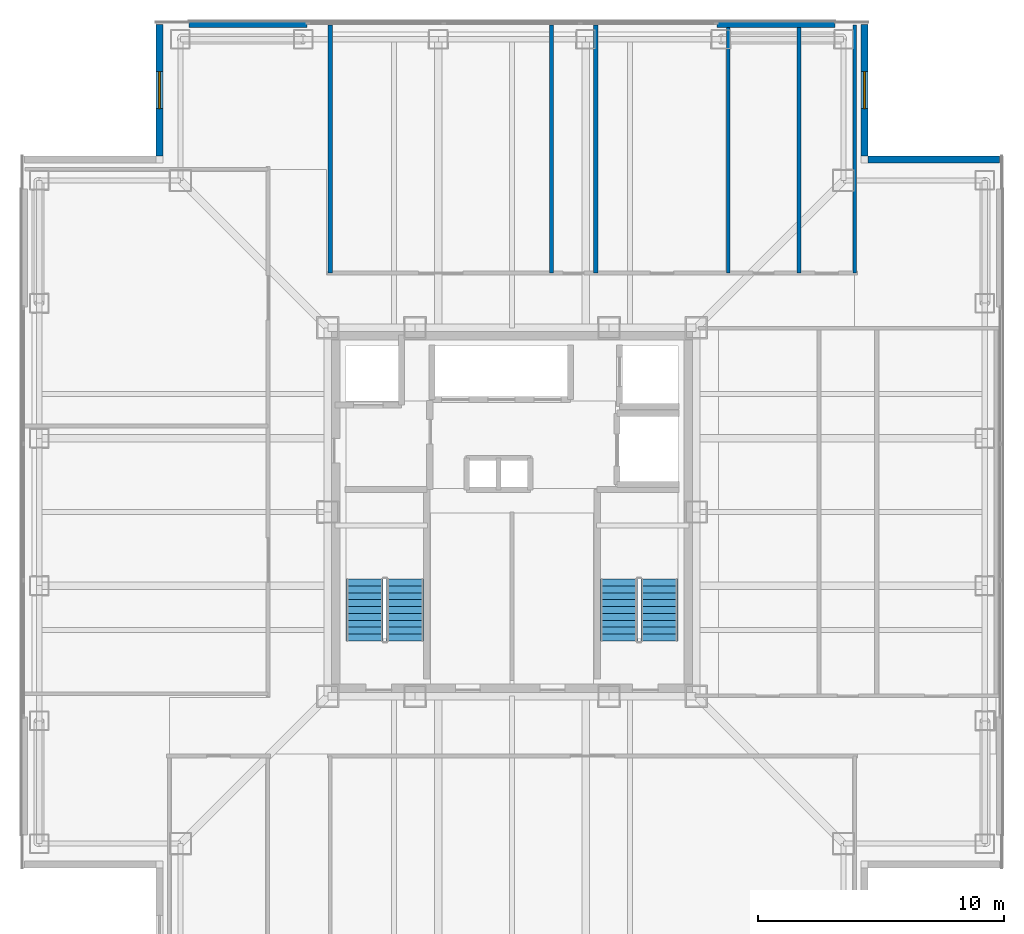
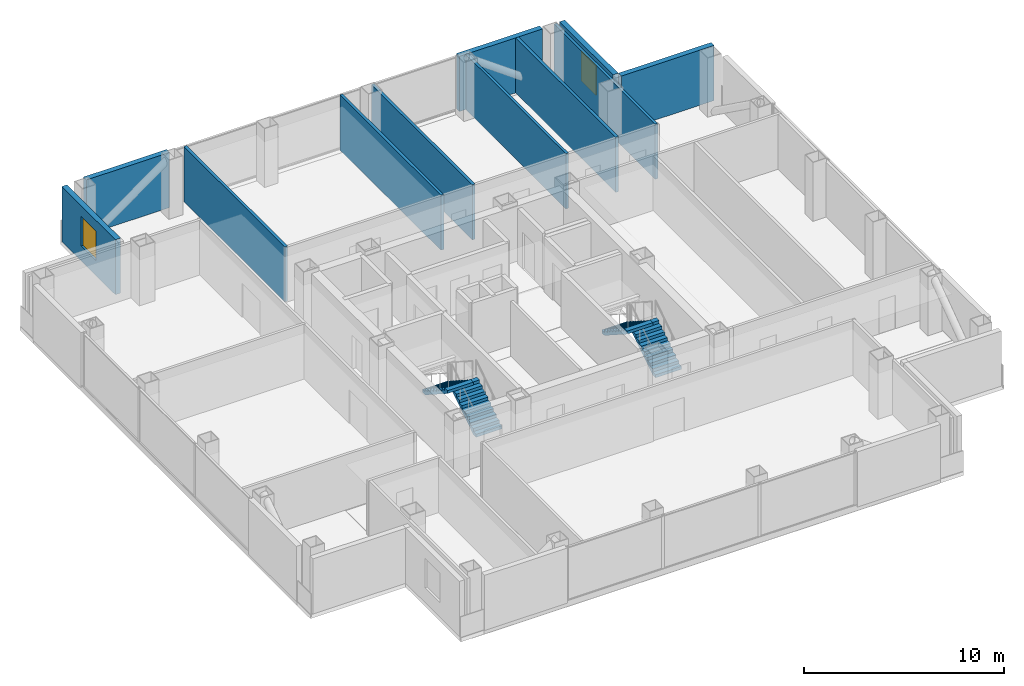
# One storey, part 10 of 16: 11 walls, 4 stair flights, 2 windows, 2 openings, 2 elements without a shape of their own.
"""IFC4 building model written with IfcOpenShell, lengths in metres."""

from ifc_helpers import new_model, si_unit, direction, frame, frame_2d, origin, place, context, subcontext, project, spatial, polyline, rectangle, outline, extrude, material, layer, layer_set, type_object, element, fill, aggregate, save


model = new_model("IFC4")

# Units and contexts
model_context = context("Model", 3, precision=1e-05, world=origin(), true_north=direction((0.0, 1.0)))
body_context = subcontext(model_context, "Body", "Model", "MODEL_VIEW")
ifc_project = project(units=[si_unit("LENGTHUNIT", "METRE"), si_unit("AREAUNIT", "SQUARE_METRE"), si_unit("VOLUMEUNIT", "CUBIC_METRE"), si_unit("PLANEANGLEUNIT", "RADIAN"), si_unit("MASSUNIT", "GRAM", prefix="KILO")], contexts=[model_context])

# Site, building, storey
site_placement = place(None, origin())
site = spatial("IfcSite", under=ifc_project, at=site_placement, CompositionType="ELEMENT")
building_placement = place(site_placement, origin())
building = spatial("IfcBuilding", under=site, at=building_placement, Name="Trevonay Congress Spire", CompositionType="ELEMENT")
storey_placement = place(building_placement, frame((0.0, 0.0, 180.60009765625)))
storey = spatial("IfcBuildingStorey", under=building, at=storey_placement, Name="L46", CompositionType="ELEMENT", Elevation=180.60009765625)

# Walls
ifc_material_1 = material(Name="Precast concrete C40/50", Category="concrete")
ifc_layer_1 = layer(ifc_material_1, 0.300048828125, Name="Precast concrete C40/50")
ifc_layer_set_1 = layer_set([ifc_layer_1], Name="Precast concrete C40/50")
wall_type_1 = type_object("IfcWallType", Name="WAL-EXT-PRECAST-300", PredefinedType="SOLIDWALL", material=ifc_layer_set_1)
for number, where, z_axis, x_axis, name in (
    (1, (-13.14990234375, 19.8798828125, 0.0), (0.0, 0.0, 1.0), (1.0, 0.0, 0.0), "L46 NL braced-bay exterior pier wall"),
    (2, (8.35009765625, 19.8798828125, 0.0), (0.0, 0.0, 1.0), (1.0, 0.0, 0.0), "L46 NR braced-bay exterior pier wall"),
):
    element("IfcWall", number, at=place(storey_placement, frame(where, z_axis=z_axis, x_axis=x_axis)), inside=storey, type_object=wall_type_1, Name=name, PredefinedType="SOLIDWALL", context=body_context, shape_type="SweptSolid", body=[
        extrude(rectangle(XDim=4.7998046875, YDim=0.300048828125, at=frame_2d((2.39990234375, 0.0))), origin(), (0.0, 0.0, 1.0), 3.35986328125),
    ])

# Wall, opening, window
wall_1_placement = place(storey_placement, frame((14.35009765625, 19.85009765625, 0.0), z_axis=(0.0, 0.0, 1.0), x_axis=(0.0, -1.0, 0.0)))
wall_1 = element("IfcWall", 3, at=wall_1_placement, inside=storey, type_object=wall_type_1, Name="L46 NE re-entrant notch exterior wall 1", PredefinedType="SOLIDWALL", context=body_context, shape_type="SweptSolid", body=[
    extrude(rectangle(XDim=5.35009765625, YDim=0.300048828125, at=frame_2d((2.675048828125, 0.0))), origin(), (0.0, 0.0, 1.0), 3.35986328125),
])
opening_1_placement = place(wall_1_placement, frame((1.925048828125, 0.0, 0.89990234375)))
opening_1 = element("IfcOpeningElement", 4, at=opening_1_placement, cuts=wall_1, Name="Opening WN03", PredefinedType="OPENING", context=body_context, shape_type="SweptSolid", body=[
    extrude(rectangle(XDim=1.5, YDim=1.800048828125, at=frame_2d((0.75, 0.89990234375))), frame((0.0, 0.16015625, 0.0), z_axis=(0.0, -1.0, 0.0), x_axis=(1.0, 0.0, 0.0)), (0.0, 0.0, 1.0), 0.320068359375),
])
ifc_material_2 = material(Name="Insulated Low-E Vision Glass IGU", Category="glass")
window_type = type_object("IfcWindowType", Name="WIN-NOTCH-150X180", PartitioningType="SINGLE_PANEL", PredefinedType="WINDOW", material=ifc_material_2)
window_1_placement = place(opening_1_placement, origin())
window_1 = element("IfcWindow", 5, at=window_1_placement, inside=storey, type_object=window_type, Name="L46 NE corner notch window", OverallHeight=1.800048828125, OverallWidth=1.5, PartitioningType="SINGLE_PANEL", PredefinedType="WINDOW", context=body_context, shape_type="SweptSolid", body=[
    extrude(rectangle(XDim=1.5, YDim=1.800048828125, at=frame_2d((0.75, 0.89990234375))), frame((0.0, 0.030029296875, 0.0), z_axis=(0.0, -1.0, 0.0), x_axis=(1.0, 0.0, 0.0)), (0.0, 0.0, 1.0), 0.06005859375),
])
fill(opening_1, window_1)

# Wall
wall_2_placement = place(storey_placement, frame((19.85009765625, 14.35009765625, 0.0), z_axis=(0.0, 0.0, 1.0), x_axis=(-1.0, 0.0, 0.0)))
element("IfcWall", 6, at=wall_2_placement, inside=storey, type_object=wall_type_1, Name="L46 NE re-entrant notch exterior wall 2", PredefinedType="SOLIDWALL", context=body_context, shape_type="SweptSolid", body=[
    extrude(rectangle(XDim=5.35009765625, YDim=0.300048828125, at=frame_2d((2.675048828125, 0.0))), origin(), (0.0, 0.0, 1.0), 3.35986328125),
])

# Wall, opening, window
wall_3_placement = place(storey_placement, frame((-14.35009765625, 19.85009765625, 0.0), z_axis=(0.0, 0.0, 1.0), x_axis=(0.0, -1.0, 0.0)))
wall_3 = element("IfcWall", 7, at=wall_3_placement, inside=storey, type_object=wall_type_1, Name="L46 NW re-entrant notch exterior wall 1", PredefinedType="SOLIDWALL", context=body_context, shape_type="SweptSolid", body=[
    extrude(rectangle(XDim=5.35009765625, YDim=0.300048828125, at=frame_2d((2.675048828125, 0.0))), origin(), (0.0, 0.0, 1.0), 3.35986328125),
])
opening_2_placement = place(wall_3_placement, frame((1.925048828125, 0.0, 0.89990234375)))
opening_2 = element("IfcOpeningElement", 8, at=opening_2_placement, cuts=wall_3, Name="Opening WN03", PredefinedType="OPENING", context=body_context, shape_type="SweptSolid", body=[
    extrude(rectangle(XDim=1.5, YDim=1.800048828125, at=frame_2d((0.75, 0.89990234375))), frame((0.0, 0.16015625, 0.0), z_axis=(0.0, -1.0, 0.0), x_axis=(1.0, 0.0, 0.0)), (0.0, 0.0, 1.0), 0.320068359375),
])
window_2_placement = place(opening_2_placement, origin())
window_2 = element("IfcWindow", 9, at=window_2_placement, inside=storey, type_object=window_type, Name="L46 NW corner notch window", OverallHeight=1.800048828125, OverallWidth=1.5, PartitioningType="SINGLE_PANEL", PredefinedType="WINDOW", context=body_context, shape_type="SweptSolid", body=[
    extrude(rectangle(XDim=1.5, YDim=1.800048828125, at=frame_2d((0.75, 0.89990234375))), frame((0.0, 0.030029296875, 0.0), z_axis=(0.0, -1.0, 0.0), x_axis=(1.0, 0.0, 0.0)), (0.0, 0.0, 1.0), 0.06005859375),
])
fill(opening_2, window_2)

# Walls
ifc_material_3 = material(Name="Concrete C40/50", Category="concrete")
ifc_layer_2 = layer(ifc_material_3, 0.14990234375, Name="Concrete C40/50")
ifc_layer_set_2 = layer_set([ifc_layer_2], Name="Concrete C40/50")
wall_type_2 = type_object("IfcWallType", Name="WAL-PART-150", PredefinedType="PARTITIONING", material=ifc_layer_set_2)
for number, where, z_axis, x_axis, name in (
    (10, (8.800048828125, 9.72998046875, 0.0), (0.0, 0.0, 1.0), (0.0, 1.0, 0.0), "L46 interior wall WP-L46N-DIV3"),
    (11, (13.949951171875, 9.72998046875, 0.0), (0.0, 0.0, 1.0), (0.0, 1.0, 0.0), "L46 interior wall WP-L46N-DIV4"),
):
    element("IfcWall", number, at=place(storey_placement, frame(where, z_axis=z_axis, x_axis=x_axis)), inside=storey, type_object=wall_type_2, Name=name, PredefinedType="PARTITIONING", context=body_context, shape_type="SweptSolid", body=[
        extrude(rectangle(XDim=10.090087890625, YDim=0.14990234375, at=frame_2d((5.044921875, 0.0))), origin(), (0.0, 0.0, 1.0), 3.35986328125),
    ])
ifc_layer_3 = layer(ifc_material_3, 0.1650390625, Name="Concrete C40/50")
ifc_layer_set_3 = layer_set([ifc_layer_3], Name="Concrete C40/50")
wall_type_3 = type_object("IfcWallType", Name="WAL-WET-165", PredefinedType="PLUMBINGWALL", material=ifc_layer_set_3)
for number, where, z_axis, x_axis, name in (
    (12, (3.409912109375, 9.72998046875, 0.0), (0.0, 0.0, 1.0), (0.0, 1.0, 0.0), "L46 interior wall WP-L46N-WCS2"),
    (13, (11.679931640625, 9.72998046875, 0.0), (0.0, 0.0, 1.0), (0.0, 1.0, 0.0), "L46 interior wall WP-L46N-WCS3"),
    (14, (-7.39990234375, 9.72998046875, 0.0), (0.0, 0.0, 1.0), (0.0, 1.0, 0.0), "L46 interior wall WP-L46N-DIV1"),
    (15, (1.60009765625, 9.72998046875, 0.0), (0.0, 0.0, 1.0), (0.0, 1.0, 0.0), "L46 interior wall WP-L46N-DIV2"),
):
    element("IfcWall", number, at=place(storey_placement, frame(where, z_axis=z_axis, x_axis=x_axis)), inside=storey, type_object=wall_type_3, Name=name, PredefinedType="PLUMBINGWALL", context=body_context, shape_type="SweptSolid", body=[
        extrude(rectangle(XDim=10.090087890625, YDim=0.1650390625, at=frame_2d((5.044921875, 0.0))), origin(), (0.0, 0.0, 1.0), 3.35986328125),
    ])

# Stair, stair flights
stair_type_1 = type_object("IfcStairType", Name="STR-ST-1", PredefinedType="HALF_TURN_STAIR", material=ifc_material_3)
stair_1_placement = place(storey_placement, origin())
stair_1 = element("IfcStair", 16, at=stair_1_placement, inside=storey, type_object=stair_type_1, Name="L46 Protected Exit Stair ST-1", PredefinedType="HALF_TURN_STAIR")
stair_flight_type_1 = type_object("IfcStairFlightType", Name="SFL-ST-1", PredefinedType="STRAIGHT", material=ifc_material_3)
stair_flight_1_placement = place(storey_placement, frame((-4.35009765625, -5.25, 0.0), z_axis=(0.0, 0.0, 1.0), x_axis=(0.0, 1.0, 0.0)))
stair_flight_1 = element("IfcStairFlight", 17, at=stair_flight_1_placement, type_object=stair_flight_type_1, Name="ST-1 flight 1", NumberOfRisers=10, NumberOfTreads=9, PredefinedType="STRAIGHT", RiserHeight=0.18, TreadLength=0.28, context=body_context, shape_type="SweptSolid", body=[
    extrude(outline(polyline([(0.0, 0.0), (0.0, 0.179931640625), (0.280029296875, 0.179931640625), (0.280029296875, 0.360107421875), (0.56005859375, 0.360107421875), (0.56005859375, 0.5400390625), (0.840087890625, 0.5400390625), (0.840087890625, 0.719970703125), (1.1201171875, 0.719970703125), (1.1201171875, 0.89990234375), (1.39990234375, 0.89990234375), (1.39990234375, 1.080078125), (1.679931640625, 1.080078125), (1.679931640625, 1.260009765625), (1.9599609375, 1.260009765625), (1.9599609375, 1.43994140625), (2.239990234375, 1.43994140625), (2.239990234375, 1.6201171875), (2.52001953125, 1.6201171875), (2.52001953125, 1.800048828125), (2.52001953125, 1.44189453125), (0.277099609375, 0.0), (0.0, 0.0)])), frame((0.0, 0.75, 0.0), z_axis=(0.0, -1.0, 0.0), x_axis=(1.0, 0.0, 0.0)), (0.0, 0.0, 1.0), 1.5),
])
stair_flight_2_placement = place(storey_placement, frame((-6.0, -2.72998046875, 1.7998046875), z_axis=(0.0, 0.0, 1.0), x_axis=(0.0, -1.0, 0.0)))
stair_flight_2 = element("IfcStairFlight", 18, at=stair_flight_2_placement, type_object=stair_flight_type_1, Name="ST-1 flight 2", NumberOfRisers=10, NumberOfTreads=9, PredefinedType="STRAIGHT", RiserHeight=0.18, TreadLength=0.28, context=body_context, shape_type="SweptSolid", body=[
    extrude(outline(polyline([(0.0, 0.0), (0.0, 0.179931640625), (0.280029296875, 0.179931640625), (0.280029296875, 0.360107421875), (0.56005859375, 0.360107421875), (0.56005859375, 0.5400390625), (0.840087890625, 0.5400390625), (0.840087890625, 0.719970703125), (1.1201171875, 0.719970703125), (1.1201171875, 0.89990234375), (1.39990234375, 0.89990234375), (1.39990234375, 1.080078125), (1.679931640625, 1.080078125), (1.679931640625, 1.260009765625), (1.9599609375, 1.260009765625), (1.9599609375, 1.43994140625), (2.239990234375, 1.43994140625), (2.239990234375, 1.6201171875), (2.52001953125, 1.6201171875), (2.52001953125, 1.800048828125), (2.52001953125, 1.44189453125), (0.277099609375, 0.0), (0.0, 0.0)])), frame((0.0, 0.75, 0.0), z_axis=(0.0, -1.0, 0.0), x_axis=(1.0, 0.0, 0.0)), (0.0, 0.0, 1.0), 1.5),
])
aggregate(stair_1, [stair_flight_1, stair_flight_2])

stair_type_2 = type_object("IfcStairType", Name="STR-ST-2", PredefinedType="HALF_TURN_STAIR", material=ifc_material_3)
stair_2_placement = place(storey_placement, origin())
stair_2 = element("IfcStair", 19, at=stair_2_placement, inside=storey, type_object=stair_type_2, Name="L46 Protected Exit Stair ST-2", PredefinedType="HALF_TURN_STAIR")
stair_flight_type_2 = type_object("IfcStairFlightType", Name="SFL-ST-2", PredefinedType="STRAIGHT", material=ifc_material_3)
stair_flight_3_placement = place(storey_placement, frame((6.0, -5.25, 0.0), z_axis=(0.0, 0.0, 1.0), x_axis=(0.0, 1.0, 0.0)))
stair_flight_3 = element("IfcStairFlight", 20, at=stair_flight_3_placement, type_object=stair_flight_type_2, Name="ST-2 flight 1", NumberOfRisers=10, NumberOfTreads=9, PredefinedType="STRAIGHT", RiserHeight=0.18, TreadLength=0.28, context=body_context, shape_type="SweptSolid", body=[
    extrude(outline(polyline([(0.0, 0.0), (0.0, 0.179931640625), (0.280029296875, 0.179931640625), (0.280029296875, 0.360107421875), (0.56005859375, 0.360107421875), (0.56005859375, 0.5400390625), (0.840087890625, 0.5400390625), (0.840087890625, 0.719970703125), (1.1201171875, 0.719970703125), (1.1201171875, 0.89990234375), (1.39990234375, 0.89990234375), (1.39990234375, 1.080078125), (1.679931640625, 1.080078125), (1.679931640625, 1.260009765625), (1.9599609375, 1.260009765625), (1.9599609375, 1.43994140625), (2.239990234375, 1.43994140625), (2.239990234375, 1.6201171875), (2.52001953125, 1.6201171875), (2.52001953125, 1.800048828125), (2.52001953125, 1.44189453125), (0.277099609375, 0.0), (0.0, 0.0)])), frame((0.0, 0.75, 0.0), z_axis=(0.0, -1.0, 0.0), x_axis=(1.0, 0.0, 0.0)), (0.0, 0.0, 1.0), 1.5),
])
stair_flight_4_placement = place(storey_placement, frame((4.35009765625, -2.72998046875, 1.7998046875), z_axis=(0.0, 0.0, 1.0), x_axis=(0.0, -1.0, 0.0)))
stair_flight_4 = element("IfcStairFlight", 21, at=stair_flight_4_placement, type_object=stair_flight_type_2, Name="ST-2 flight 2", NumberOfRisers=10, NumberOfTreads=9, PredefinedType="STRAIGHT", RiserHeight=0.18, TreadLength=0.28, context=body_context, shape_type="SweptSolid", body=[
    extrude(outline(polyline([(0.0, 0.0), (0.0, 0.179931640625), (0.280029296875, 0.179931640625), (0.280029296875, 0.360107421875), (0.56005859375, 0.360107421875), (0.56005859375, 0.5400390625), (0.840087890625, 0.5400390625), (0.840087890625, 0.719970703125), (1.1201171875, 0.719970703125), (1.1201171875, 0.89990234375), (1.39990234375, 0.89990234375), (1.39990234375, 1.080078125), (1.679931640625, 1.080078125), (1.679931640625, 1.260009765625), (1.9599609375, 1.260009765625), (1.9599609375, 1.43994140625), (2.239990234375, 1.43994140625), (2.239990234375, 1.6201171875), (2.52001953125, 1.6201171875), (2.52001953125, 1.800048828125), (2.52001953125, 1.44189453125), (0.277099609375, 0.0), (0.0, 0.0)])), frame((0.0, 0.75, 0.0), z_axis=(0.0, -1.0, 0.0), x_axis=(1.0, 0.0, 0.0)), (0.0, 0.0, 1.0), 1.5),
])
aggregate(stair_2, [stair_flight_3, stair_flight_4])

save(model, "model.ifc")
